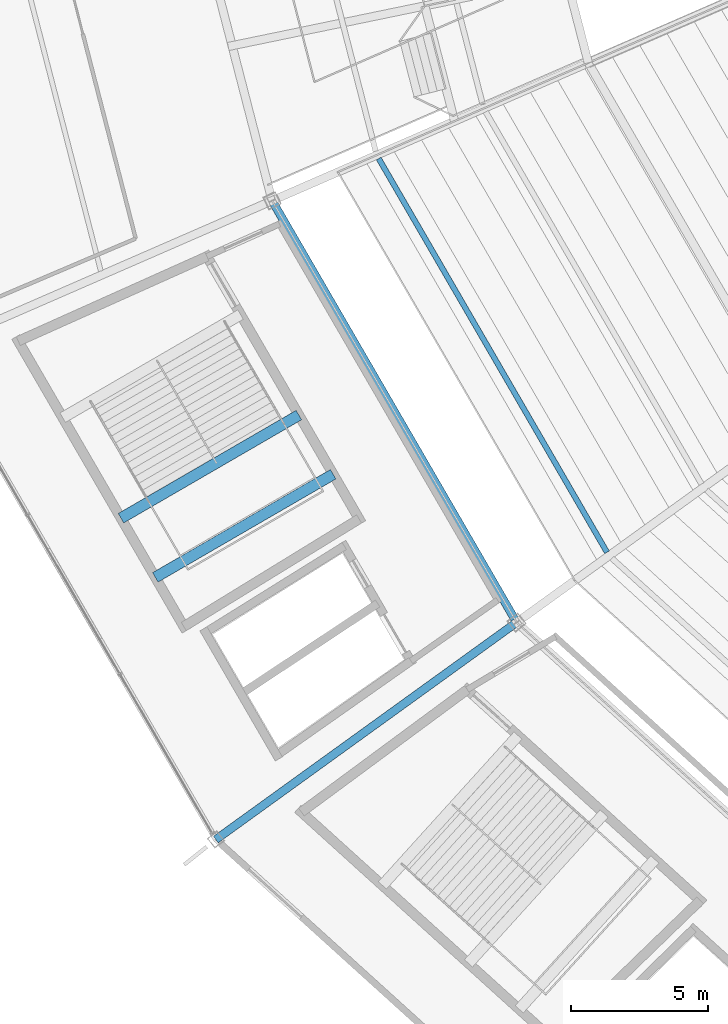
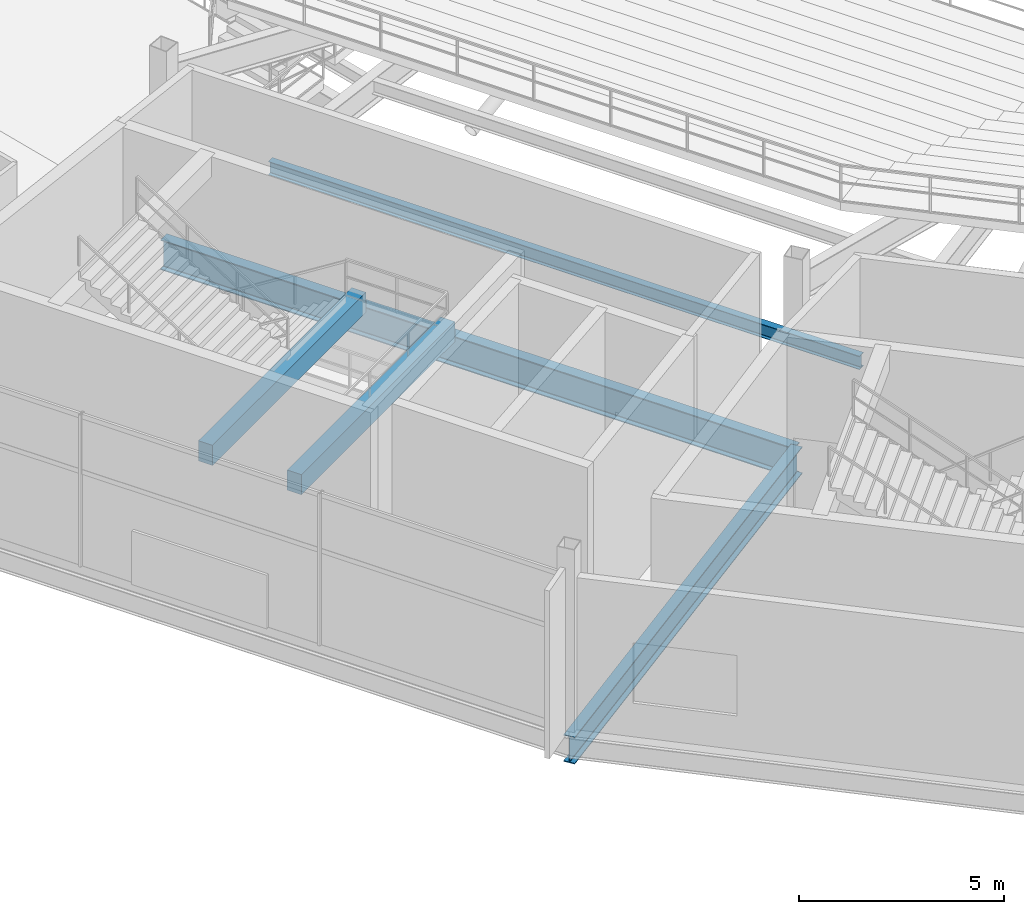
# One storey, part 22 of 186: 5 beams.
"""IFC4 building model written with IfcOpenShell, lengths in metres."""

from ifc_helpers import new_model, si_unit, direction, frame, origin, origin_2d, place, context, subcontext, project, spatial, rectangle, i_section, extrude, material, material_profile, profile_set, type_object, element, save


model = new_model("IFC4")

# Units and contexts
model_context = context("Model", 3, precision=1e-05, world=origin(), true_north=direction((0.0, 1.0)))
body_context = subcontext(model_context, "Body", "Model", "MODEL_VIEW")
ifc_project = project(units=[si_unit("LENGTHUNIT", "METRE"), si_unit("AREAUNIT", "SQUARE_METRE"), si_unit("VOLUMEUNIT", "CUBIC_METRE"), si_unit("PLANEANGLEUNIT", "RADIAN"), si_unit("MASSUNIT", "GRAM", prefix="KILO")], contexts=[model_context])

# Site, building, storey
site_placement = place(None, origin())
site = spatial("IfcSite", under=ifc_project, at=site_placement, CompositionType="ELEMENT")
building_placement = place(site_placement, origin())
building = spatial("IfcBuilding", under=site, at=building_placement, Name="Kazemori Nagisa Stadium", CompositionType="ELEMENT")
storey_placement = place(building_placement, frame((0.0, 0.0, 20.39990234375)))
storey = spatial("IfcBuildingStorey", under=building, at=storey_placement, Name="L04", CompositionType="ELEMENT", Elevation=20.39990234375)

# Beams
ifc_material_1 = material(Name="Steel SN490B", Category="steel")
ifc_material_profile_1 = material_profile(ifc_material_1, i_section(OverallWidth=0.300048828125, OverallDepth=0.800048828125, WebThickness=0.013916015625, FlangeThickness=0.02587890625, FilletRadius=0.01806640625, at=origin_2d()), Name="H-800x300x14x26")
ifc_profile_set_1 = profile_set([ifc_material_profile_1], Name="Steel SN490B")
beam_type_1 = type_object("IfcBeamType", Name="Beam_BG-H800", PredefinedType="BEAM", material=ifc_profile_set_1)
beam_1_placement = place(storey_placement, frame((55.493896484375, 53.265869140625, -0.699951171875), z_axis=(-0.810787509935, -0.585340596349, 0.0), x_axis=(0.585340596349, -0.810787509935, 0.0)))
element("IfcBeam", 1, at=beam_1_placement, inside=storey, type_object=beam_type_1, Name="Radial girder BG-H800 L04 R2-R3-18", PredefinedType="BEAM", context=body_context, shape_type="SweptSolid", body=[
    extrude(i_section(OverallWidth=0.300048828125, OverallDepth=0.800048828125, WebThickness=0.013916015625, FlangeThickness=0.02587890625, FilletRadius=0.01806640625, at=origin_2d()), origin(), (0.0, 0.0, 1.0), 13.5537109375),
])
ifc_material_profile_2 = material_profile(ifc_material_1, i_section(OverallWidth=0.300048828125, OverallDepth=0.89990234375, WebThickness=0.01611328125, FlangeThickness=0.028076171875, FilletRadius=0.01806640625, at=origin_2d()), Name="H-900x300x16x28")
ifc_profile_set_2 = profile_set([ifc_material_profile_2], Name="Steel SN490B")
beam_type_2 = type_object("IfcBeamType", Name="Beam_BG-H900", PredefinedType="BEAM", material=ifc_profile_set_2)
beam_2_placement = place(storey_placement, frame((46.55908203125, 68.67529296875, -0.75), z_axis=(0.501606704589, -0.865095783085, 0.0), x_axis=(0.865095783085, 0.501606704589, 0.0)))
element("IfcBeam", 2, at=beam_2_placement, inside=storey, type_object=beam_type_2, Name="Ring girder BG-H900 L04 R2-17", PredefinedType="BEAM", context=body_context, shape_type="SweptSolid", body=[
    extrude(i_section(OverallWidth=0.300048828125, OverallDepth=0.89990234375, WebThickness=0.01611328125, FlangeThickness=0.028076171875, FilletRadius=0.01806640625, at=origin_2d()), origin(), (0.0, 0.0, 1.0), 17.8125),
])
ifc_material_2 = material(Name="Concrete C40/50 (Fc42)", Category="concrete")
ifc_material_profile_3 = material_profile(ifc_material_2, rectangle(XDim=0.39990234375, YDim=0.60009765625, at=origin_2d()), Name="RC-BM-400x600")
ifc_profile_set_3 = profile_set([ifc_material_profile_3], Name="Concrete C40/50 (Fc42)")
beam_type_3 = type_object("IfcBeamType", Name="Beam_BG-LND400X600", PredefinedType="BEAM", material=ifc_profile_set_3)
beam_3_placement = place(storey_placement, frame((47.53759765625, 60.84228515625, 2.22021484375), z_axis=(-0.865094639125, -0.501608677514, 0.0), x_axis=(0.501608677514, -0.865094639125, 0.0)))
element("IfcBeam", 3, at=beam_3_placement, inside=storey, type_object=beam_type_3, Name="Core stair mid-landing girder ST09-L04-1", PredefinedType="BEAM", context=body_context, shape_type="SweptSolid", body=[
    extrude(rectangle(XDim=0.39990234375, YDim=0.60009765625, at=origin_2d()), origin(), (0.0, 0.0, 1.0), 7.513916015625),
])
beam_4_placement = place(storey_placement, frame((48.79150390625, 58.6796875, 2.22021484375), z_axis=(-0.865086463473, -0.50162277731, 0.0), x_axis=(0.50162277731, -0.865086463473, 0.0)))
element("IfcBeam", 4, at=beam_4_placement, inside=storey, type_object=beam_type_3, Name="Core stair mid-landing girder ST09-L04-2", PredefinedType="BEAM", context=body_context, shape_type="SweptSolid", body=[
    extrude(rectangle(XDim=0.39990234375, YDim=0.60009765625, at=origin_2d()), origin(), (0.0, 0.0, 1.0), 7.513671875),
])
ifc_material_profile_4 = material_profile(ifc_material_1, i_section(OverallWidth=0.199951171875, OverallDepth=0.39990234375, WebThickness=0.008056640625, FlangeThickness=0.012939453125, FilletRadius=0.012939453125, at=origin_2d()), Name="H-400x200x8x13")
ifc_profile_set_4 = profile_set([ifc_material_profile_4], Name="Steel SN490B")
beam_type_4 = type_object("IfcBeamType", Name="Beam_BJ-H400", PredefinedType="JOIST", material=ifc_profile_set_4)
beam_5_placement = place(storey_placement, frame((50.453857421875, 70.216064453125, -0.5), z_axis=(0.501611321485, -0.865093106063, 0.0), x_axis=(0.865093106063, 0.501611321485, 0.0)))
element("IfcBeam", 5, at=beam_5_placement, inside=storey, type_object=beam_type_4, Name="Concourse joist BJ-H400 L04 B17-2", PredefinedType="JOIST", context=body_context, shape_type="SweptSolid", body=[
    extrude(i_section(OverallWidth=0.199951171875, OverallDepth=0.39990234375, WebThickness=0.008056640625, FlangeThickness=0.012939453125, FilletRadius=0.012939453125, at=origin_2d()), origin(), (0.0, 0.0, 1.0), 16.6318359375),
])

save(model, "model.ifc")
